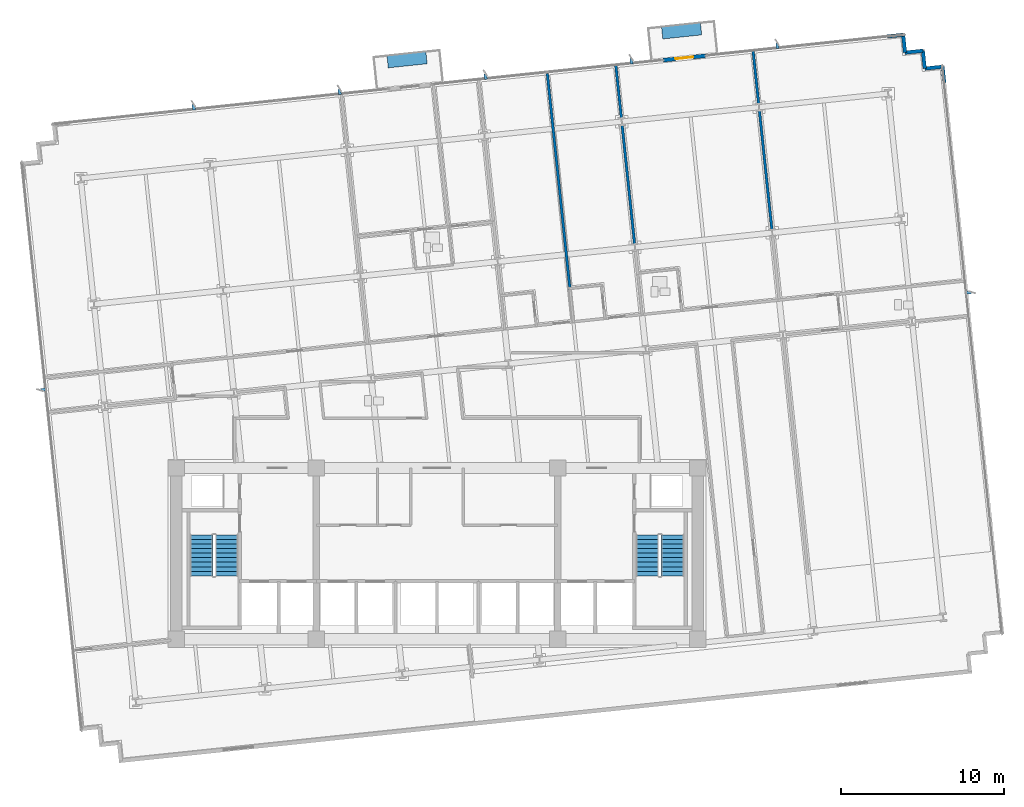
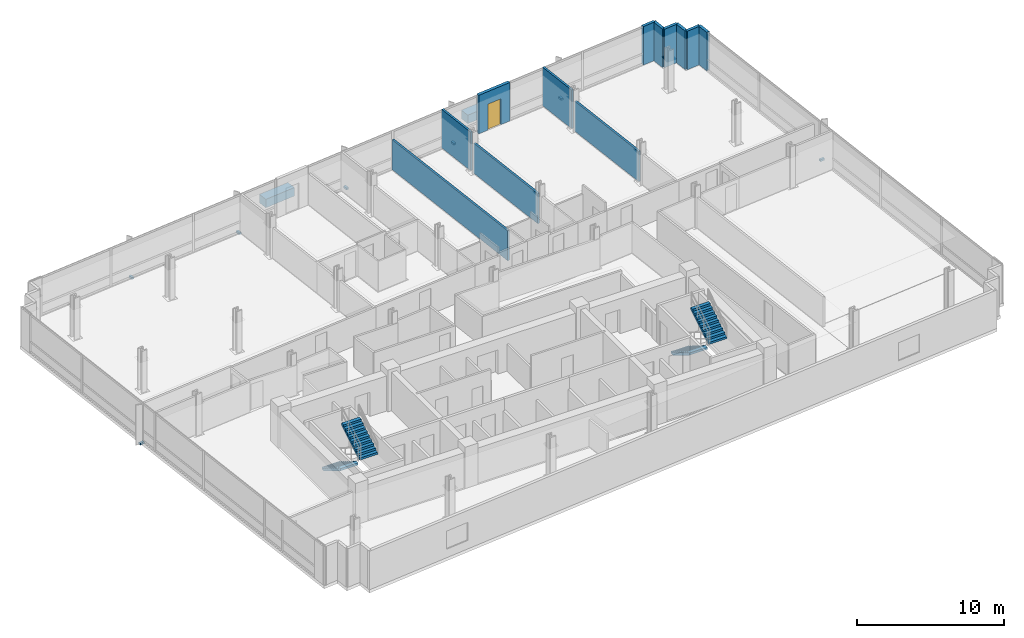
# One storey, part 13 of 17: 12 walls, 9 discrete accessories, 4 stair flights, 1 door, 1 opening, 2 elements without a shape of their own.
"""IFC4 building model written with IfcOpenShell, lengths in metres."""

from ifc_helpers import new_model, si_unit, direction, frame, frame_2d, origin, origin_2d, place, context, subcontext, project, spatial, polyline, rectangle, outline, extrude, material, layer, layer_set, type_object, element, fill, aggregate, save


model = new_model("IFC4")

# Units and contexts
model_context = context("Model", 3, precision=1e-05, world=origin(), true_north=direction((0.0, 1.0)))
body_context = subcontext(model_context, "Body", "Model", "MODEL_VIEW")
ifc_project = project(units=[si_unit("LENGTHUNIT", "METRE"), si_unit("AREAUNIT", "SQUARE_METRE"), si_unit("VOLUMEUNIT", "CUBIC_METRE"), si_unit("PLANEANGLEUNIT", "RADIAN"), si_unit("MASSUNIT", "GRAM", prefix="KILO")], contexts=[model_context])

# Site, building, storey
site_placement = place(None, origin())
site = spatial("IfcSite", under=ifc_project, at=site_placement, CompositionType="ELEMENT")
building_placement = place(site_placement, origin())
building = spatial("IfcBuilding", under=site, at=building_placement, Name="Solmavex Isthmus Hotel", CompositionType="ELEMENT")
storey_placement = place(building_placement, frame((0.0, 0.0, 90.449951171875)))
storey = spatial("IfcBuildingStorey", under=building, at=storey_placement, Name="L24", CompositionType="ELEMENT", Elevation=90.449951171875)

# Wall, opening, door
ifc_material_1 = material(Name="Precast Concrete C40/50", Category="concrete")
ifc_layer_1 = layer(ifc_material_1, 0.25)
ifc_layer_set_1 = layer_set([ifc_layer_1], Name="Precast Concrete C40/50")
wall_type_1 = type_object("IfcWallType", Name="EW-TWR-250", PredefinedType="STANDARD", material=ifc_layer_set_1)
wall_1_placement = place(storey_placement, frame((13.884765625, 22.513916015625, 0.0), z_axis=(0.0, 0.0, 1.0), x_axis=(0.994523446942, 0.104513699976, 0.0)))
wall_1 = element("IfcWall", 1, at=wall_1_placement, inside=storey, type_object=wall_type_1, Name="Exterior Balcony Door Wall L24-3", PredefinedType="STANDARD", context=body_context, shape_type="SweptSolid", body=[
    extrude(rectangle(XDim=2.599853515625, YDim=0.239990234375, at=frame_2d((1.2998046875, 0.0))), origin(), (0.0, 0.0, 1.0), 3.18994140625),
])
opening_placement = place(wall_1_placement, frame((0.75, 0.0, 0.0)))
opening = element("IfcOpeningElement", 2, at=opening_placement, cuts=wall_1, Name="Opening ED-02", PredefinedType="OPENING", context=body_context, shape_type="SweptSolid", body=[
    extrude(rectangle(XDim=1.10009765625, YDim=2.14990234375, at=frame_2d((0.550048828125, 1.074951171875))), frame((0.0, 0.1298828125, 0.0), z_axis=(0.0, -1.0, 0.0), x_axis=(1.0, 0.0, 0.0)), (0.0, 0.0, 1.0), 0.260009765625),
])
ifc_material_2 = material(Name="Aluminium alloy 6063-T6", Category="aluminium")
door_type = type_object("IfcDoorType", Name="EDR-BALC-1100", OperationType="NOTDEFINED", PredefinedType="DOOR", material=ifc_material_2)
door_placement = place(opening_placement, origin())
door = element("IfcDoor", 3, at=door_placement, inside=storey, type_object=door_type, Name="Balcony & Terrace Glazed Door L24-3", OperationType="SINGLE_SWING_LEFT", OverallHeight=2.14990234375, OverallWidth=1.10009765625, PredefinedType="DOOR", context=body_context, shape_type="SweptSolid", body=[
    extrude(rectangle(XDim=1.10009765625, YDim=2.14990234375, at=frame_2d((0.550048828125, 1.074951171875))), frame((0.0, 0.02490234375, 0.0), z_axis=(0.0, -1.0, 0.0), x_axis=(1.0, 0.0, 0.0)), (0.0, 0.0, 1.0), 0.050048828125),
])
fill(opening, door)

# Walls
wall_2_placement = place(storey_placement, frame((27.609130859375, 23.966552734375, 0.0), z_axis=(0.0, 0.0, 1.0), x_axis=(0.994516259927, 0.104582067016, 0.0)))
element("IfcWall", 4, at=wall_2_placement, inside=storey, type_object=wall_type_1, Name="Serrated Corner Facade Panel L24-14", PredefinedType="STANDARD", context=body_context, shape_type="SweptSolid", body=[
    extrude(rectangle(XDim=0.98974609375, YDim=0.219970703125, at=frame_2d((0.494873046875, 0.0))), origin(), (0.0, 0.0, 1.0), 3.18994140625),
])
for number, where, z_axis, x_axis, name in (
    (5, (28.593505859375, 24.070068359375, 0.0), (0.0, 0.0, 1.0), (0.104534592565, -0.994521251134, 0.0), "Serrated Corner Facade Panel L24-15"),
    (6, (28.70849609375, 22.97607421875, 0.0), (0.0, 0.0, 1.0), (0.994521251134, 0.104534592565, 0.0), "Serrated Corner Facade Panel L24-16"),
    (7, (29.802490234375, 23.091064453125, 0.0), (0.0, 0.0, 1.0), (0.104534592565, -0.994521251134, 0.0), "Serrated Corner Facade Panel L24-17"),
    (8, (29.91748046875, 21.9970703125, 0.0), (0.0, 0.0, 1.0), (0.994521251134, 0.104534592565, 0.0), "Serrated Corner Facade Panel L24-18"),
):
    element("IfcWall", number, at=place(storey_placement, frame(where, z_axis=z_axis, x_axis=x_axis)), inside=storey, type_object=wall_type_1, Name=name, PredefinedType="STANDARD", context=body_context, shape_type="SweptSolid", body=[
        extrude(rectangle(XDim=1.10009765625, YDim=0.219970703125, at=frame_2d((0.550048828125, 0.0))), origin(), (0.0, 0.0, 1.0), 3.18994140625),
    ])
wall_3_placement = place(storey_placement, frame((31.011474609375, 22.112060546875, 0.0), z_axis=(0.0, 0.0, 1.0), x_axis=(0.104556418955, -0.99451895671, 0.0)))
element("IfcWall", 9, at=wall_3_placement, inside=storey, type_object=wall_type_1, Name="Serrated Corner Facade Panel L24-19", PredefinedType="STANDARD", context=body_context, shape_type="SweptSolid", body=[
    extrude(rectangle(XDim=0.989990234375, YDim=0.219970703125, at=frame_2d((0.4951171875, 0.0))), origin(), (0.0, 0.0, 1.0), 3.18994140625),
])
ifc_material_3 = material(Name="Gypsum plasterboard lining", Category="gypsum")
ifc_layer_2 = layer(ifc_material_3, 0.159912109375)
ifc_layer_set_2 = layer_set([ifc_layer_2], Name="Gypsum plasterboard lining")
wall_type_2 = type_object("IfcWallType", Name="IW-COMP-160", PredefinedType="PARTITIONING", material=ifc_layer_set_2)
wall_4_placement = place(storey_placement, frame((6.766357421875, 21.685302734375, 0.0), z_axis=(0.0, 0.0, 1.0), x_axis=(0.104528448618, -0.994521896908, 0.0)))
element("IfcWall", 10, at=wall_4_placement, inside=storey, type_object=wall_type_2, Name="Interior Partition Wall W-L24-P052", PredefinedType="PARTITIONING", context=body_context, shape_type="SweptSolid", body=[
    extrude(rectangle(XDim=13.331787109375, YDim=0.159912109375, at=frame_2d((6.666015625, 0.0))), origin(), (0.0, 0.0, 1.0), 2.4794921875),
])
wall_5_placement = place(storey_placement, frame((10.963623046875, 22.2470703125, 0.0), z_axis=(0.0, 0.0, 1.0), x_axis=(0.10448334315, -0.994526636649, 0.0)))
element("IfcWall", 11, at=wall_5_placement, inside=storey, type_object=wall_type_2, Name="Interior Partition Wall W-L24-P056", PredefinedType="PARTITIONING", context=body_context, shape_type="SweptSolid", body=[
    extrude(rectangle(XDim=3.34375, YDim=0.159912109375, at=frame_2d((1.671875, 0.0))), origin(), (0.0, 0.0, 1.0), 3.18994140625),
])
wall_6_placement = place(storey_placement, frame((11.349853515625, 18.5712890625, 0.0), z_axis=(0.0, 0.0, 1.0), x_axis=(0.104523341075, -0.994522433719, 0.0)))
element("IfcWall", 12, at=wall_6_placement, inside=storey, type_object=wall_type_2, Name="Interior Partition Wall W-L24-P057", PredefinedType="PARTITIONING", context=body_context, shape_type="SweptSolid", body=[
    extrude(rectangle(XDim=7.399658203125, YDim=0.159912109375, at=frame_2d((3.69970703125, 0.0))), origin(), (0.0, 0.0, 1.0), 2.4794921875),
])
wall_7_placement = place(storey_placement, frame((19.383056640625, 23.132080078125, 0.0), z_axis=(0.0, 0.0, 1.0), x_axis=(0.10455555946, -0.99451904707, 0.0)))
element("IfcWall", 13, at=wall_7_placement, inside=storey, type_object=wall_type_2, Name="Interior Partition Wall W-L24-P062", PredefinedType="PARTITIONING", context=body_context, shape_type="SweptSolid", body=[
    extrude(rectangle(XDim=3.34375, YDim=0.159912109375, at=frame_2d((1.671875, 0.0))), origin(), (0.0, 0.0, 1.0), 3.18994140625),
])
wall_8_placement = place(storey_placement, frame((19.76953125, 19.456298828125, 0.0), z_axis=(0.0, 0.0, 1.0), x_axis=(0.104523341075, -0.994522433719, 0.0)))
element("IfcWall", 14, at=wall_8_placement, inside=storey, type_object=wall_type_2, Name="Interior Partition Wall W-L24-P063", PredefinedType="PARTITIONING", context=body_context, shape_type="SweptSolid", body=[
    extrude(rectangle(XDim=7.399658203125, YDim=0.159912109375, at=frame_2d((3.69970703125, 0.0))), origin(), (0.0, 0.0, 1.0), 2.4794921875),
])

# Stair, stair flights
ifc_material_4 = material(Name="Concrete C40/50", Category="concrete")
stair_type_1 = type_object("IfcStairType", Name="STR-ST-1", PredefinedType="HALF_TURN_STAIR", material=ifc_material_4)
stair_1_placement = place(storey_placement, origin())
stair_1 = element("IfcStair", 15, at=stair_1_placement, inside=storey, type_object=stair_type_1, Name="L24 Protected Exit Stair ST-1", PredefinedType="HALF_TURN_STAIR")
stair_flight_type_1 = type_object("IfcStairFlightType", Name="SFL-ST-1", PredefinedType="STRAIGHT", material=ifc_material_4)
stair_flight_1_placement = place(storey_placement, frame((-14.449951171875, -6.60009765625, 0.0), z_axis=(0.0, 0.0, 1.0), x_axis=(0.0, -1.0, 0.0)))
stair_flight_1 = element("IfcStairFlight", 16, at=stair_flight_1_placement, type_object=stair_flight_type_1, Name="ST-1 flight 1", NumberOfRisers=10, NumberOfTreads=9, PredefinedType="STRAIGHT", RiserHeight=0.1725, TreadLength=0.28, context=body_context, shape_type="SweptSolid", body=[
    extrude(outline(polyline([(0.0, 0.0), (0.0, 0.172607421875), (0.280029296875, 0.172607421875), (0.280029296875, 0.344970703125), (0.56005859375, 0.344970703125), (0.56005859375, 0.517578125), (0.840087890625, 0.517578125), (0.840087890625, 0.68994140625), (1.1201171875, 0.68994140625), (1.1201171875, 0.862548828125), (1.39990234375, 0.862548828125), (1.39990234375, 1.034912109375), (1.679931640625, 1.034912109375), (1.679931640625, 1.20751953125), (1.9599609375, 1.20751953125), (1.9599609375, 1.3798828125), (2.239990234375, 1.3798828125), (2.239990234375, 1.552490234375), (2.52001953125, 1.552490234375), (2.52001953125, 1.72509765625), (2.52001953125, 1.37646484375), (0.285888671875, 0.0), (0.0, 0.0)])), frame((0.0, 0.699951171875, 0.0), z_axis=(0.0, -1.0, 0.0), x_axis=(1.0, 0.0, 0.0)), (0.0, 0.0, 1.0), 1.39990234375),
])
stair_flight_2_placement = place(storey_placement, frame((-12.89990234375, -9.1201171875, 1.72509765625), z_axis=(0.0, 0.0, 1.0), x_axis=(0.0, 1.0, 0.0)))
stair_flight_2 = element("IfcStairFlight", 17, at=stair_flight_2_placement, type_object=stair_flight_type_1, Name="ST-1 flight 2", NumberOfRisers=10, NumberOfTreads=9, PredefinedType="STRAIGHT", RiserHeight=0.1725, TreadLength=0.28, context=body_context, shape_type="SweptSolid", body=[
    extrude(outline(polyline([(0.0, 0.0), (0.0, 0.172607421875), (0.280029296875, 0.172607421875), (0.280029296875, 0.344970703125), (0.56005859375, 0.344970703125), (0.56005859375, 0.517578125), (0.840087890625, 0.517578125), (0.840087890625, 0.68994140625), (1.1201171875, 0.68994140625), (1.1201171875, 0.862548828125), (1.39990234375, 0.862548828125), (1.39990234375, 1.034912109375), (1.679931640625, 1.034912109375), (1.679931640625, 1.20751953125), (1.9599609375, 1.20751953125), (1.9599609375, 1.3798828125), (2.239990234375, 1.3798828125), (2.239990234375, 1.552490234375), (2.52001953125, 1.552490234375), (2.52001953125, 1.72509765625), (2.52001953125, 1.37646484375), (0.285888671875, 0.0), (0.0, 0.0)])), frame((0.0, 0.699951171875, 0.0), z_axis=(0.0, -1.0, 0.0), x_axis=(1.0, 0.0, 0.0)), (0.0, 0.0, 1.0), 1.39990234375),
])
aggregate(stair_1, [stair_flight_1, stair_flight_2])

stair_type_2 = type_object("IfcStairType", Name="STR-ST-2", PredefinedType="HALF_TURN_STAIR", material=ifc_material_4)
stair_2_placement = place(storey_placement, origin())
stair_2 = element("IfcStair", 18, at=stair_2_placement, inside=storey, type_object=stair_type_2, Name="L24 Protected Exit Stair ST-2", PredefinedType="HALF_TURN_STAIR")
stair_flight_type_2 = type_object("IfcStairFlightType", Name="SFL-ST-2", PredefinedType="STRAIGHT", material=ifc_material_4)
stair_flight_3_placement = place(storey_placement, frame((12.89990234375, -6.60009765625, 0.0), z_axis=(0.0, 0.0, 1.0), x_axis=(0.0, -1.0, 0.0)))
stair_flight_3 = element("IfcStairFlight", 19, at=stair_flight_3_placement, type_object=stair_flight_type_2, Name="ST-2 flight 1", NumberOfRisers=10, NumberOfTreads=9, PredefinedType="STRAIGHT", RiserHeight=0.1725, TreadLength=0.28, context=body_context, shape_type="SweptSolid", body=[
    extrude(outline(polyline([(0.0, 0.0), (0.0, 0.172607421875), (0.280029296875, 0.172607421875), (0.280029296875, 0.344970703125), (0.56005859375, 0.344970703125), (0.56005859375, 0.517578125), (0.840087890625, 0.517578125), (0.840087890625, 0.68994140625), (1.1201171875, 0.68994140625), (1.1201171875, 0.862548828125), (1.39990234375, 0.862548828125), (1.39990234375, 1.034912109375), (1.679931640625, 1.034912109375), (1.679931640625, 1.20751953125), (1.9599609375, 1.20751953125), (1.9599609375, 1.3798828125), (2.239990234375, 1.3798828125), (2.239990234375, 1.552490234375), (2.52001953125, 1.552490234375), (2.52001953125, 1.72509765625), (2.52001953125, 1.37646484375), (0.285888671875, 0.0), (0.0, 0.0)])), frame((0.0, 0.699951171875, 0.0), z_axis=(0.0, -1.0, 0.0), x_axis=(1.0, 0.0, 0.0)), (0.0, 0.0, 1.0), 1.39990234375),
])
stair_flight_4_placement = place(storey_placement, frame((14.449951171875, -9.1201171875, 1.72509765625), z_axis=(0.0, 0.0, 1.0), x_axis=(0.0, 1.0, 0.0)))
stair_flight_4 = element("IfcStairFlight", 20, at=stair_flight_4_placement, type_object=stair_flight_type_2, Name="ST-2 flight 2", NumberOfRisers=10, NumberOfTreads=9, PredefinedType="STRAIGHT", RiserHeight=0.1725, TreadLength=0.28, context=body_context, shape_type="SweptSolid", body=[
    extrude(outline(polyline([(0.0, 0.0), (0.0, 0.172607421875), (0.280029296875, 0.172607421875), (0.280029296875, 0.344970703125), (0.56005859375, 0.344970703125), (0.56005859375, 0.517578125), (0.840087890625, 0.517578125), (0.840087890625, 0.68994140625), (1.1201171875, 0.68994140625), (1.1201171875, 0.862548828125), (1.39990234375, 0.862548828125), (1.39990234375, 1.034912109375), (1.679931640625, 1.034912109375), (1.679931640625, 1.20751953125), (1.9599609375, 1.20751953125), (1.9599609375, 1.3798828125), (2.239990234375, 1.3798828125), (2.239990234375, 1.552490234375), (2.52001953125, 1.552490234375), (2.52001953125, 1.72509765625), (2.52001953125, 1.37646484375), (0.285888671875, 0.0), (0.0, 0.0)])), frame((0.0, 0.699951171875, 0.0), z_axis=(0.0, -1.0, 0.0), x_axis=(1.0, 0.0, 0.0)), (0.0, 0.0, 1.0), 1.39990234375),
])
aggregate(stair_2, [stair_flight_3, stair_flight_4])

# Discrete accessories
ifc_material_5 = material(Name="Steel ASTM A572 Grade 50", Category="steel")
discrete_accessory_type_1 = type_object("IfcDiscreteAccessoryType", Name="ACC-BRK-FIN", PredefinedType="BRACKET", material=ifc_material_5)
for number, where, z_axis, x_axis, name in (
    (21, (-14.92041015625, 19.627197265625, -0.169921875), (0.0, 0.0, 1.0), (-0.104528463268, 0.994521895368, 0.0), "Facade Fin Support Bracket L24-N1"),
    (22, (-5.9697265625, 20.56787109375, -0.169921875), (0.0, 0.0, 1.0), (-0.104528463268, 0.994521895368, 0.0), "Facade Fin Support Bracket L24-N2"),
    (23, (2.98095703125, 21.5087890625, -0.169921875), (0.0, 0.0, 1.0), (-0.104528463268, 0.994521895368, 0.0), "Facade Fin Support Bracket L24-N3"),
    (24, (11.931640625, 22.449462890625, -0.169921875), (0.0, 0.0, 1.0), (-0.104528463268, 0.994521895368, 0.0), "Facade Fin Support Bracket L24-N4"),
    (25, (20.88232421875, 23.39013671875, -0.169921875), (0.0, 0.0, 1.0), (-0.104528463268, 0.994521895368, 0.0), "Facade Fin Support Bracket L24-N5"),
    (26, (-24.129638671875, 2.299560546875, -0.169921875), (0.0, 0.0, 1.0), (-0.994521895368, -0.104528463268, 0.0), "Facade Fin Support Bracket L24-W1"),
    (27, (32.597900390625, 8.261962890625, -0.169921875), (0.0, 0.0, 1.0), (0.994521895368, 0.104528463268, 0.0), "Facade Fin Support Bracket L24-E1"),
):
    element("IfcDiscreteAccessory", number, at=place(storey_placement, frame(where, z_axis=z_axis, x_axis=x_axis)), inside=storey, type_object=discrete_accessory_type_1, Name=name, PredefinedType="BRACKET", context=body_context, shape_type="SweptSolid", body=[
        extrude(rectangle(XDim=0.340087890625, YDim=0.179931640625, at=origin_2d()), origin(), (0.0, 0.0, 1.0), 0.159912109375),
    ])
discrete_accessory_type_2 = type_object("IfcDiscreteAccessoryType", Name="ACC-PLN-BALC", PredefinedType="USERDEFINED", material=ifc_material_1)
for number, where, z_axis, x_axis, name in (
    (28, (-1.836181640625, 22.540771484375, 0.0), (0.0, 0.0, 1.0), (0.994521895368, 0.104528463268, 0.0), "Tree-Balcony Architectural Planter L24-B1"),
    (29, (15.0029296875, 24.310791015625, 0.0), (0.0, 0.0, 1.0), (0.994521895368, 0.104528463268, 0.0), "Tree-Balcony Architectural Planter L24-B2"),
):
    element("IfcDiscreteAccessory", number, at=place(storey_placement, frame(where, z_axis=z_axis, x_axis=x_axis)), inside=storey, type_object=discrete_accessory_type_2, Name=name, ObjectType="PLANTER", PredefinedType="USERDEFINED", context=body_context, shape_type="SweptSolid", body=[
        extrude(rectangle(XDim=2.39990234375, YDim=0.75, at=origin_2d()), origin(), (0.0, 0.0, 1.0), 0.699951171875),
    ])

save(model, "model.ifc")
